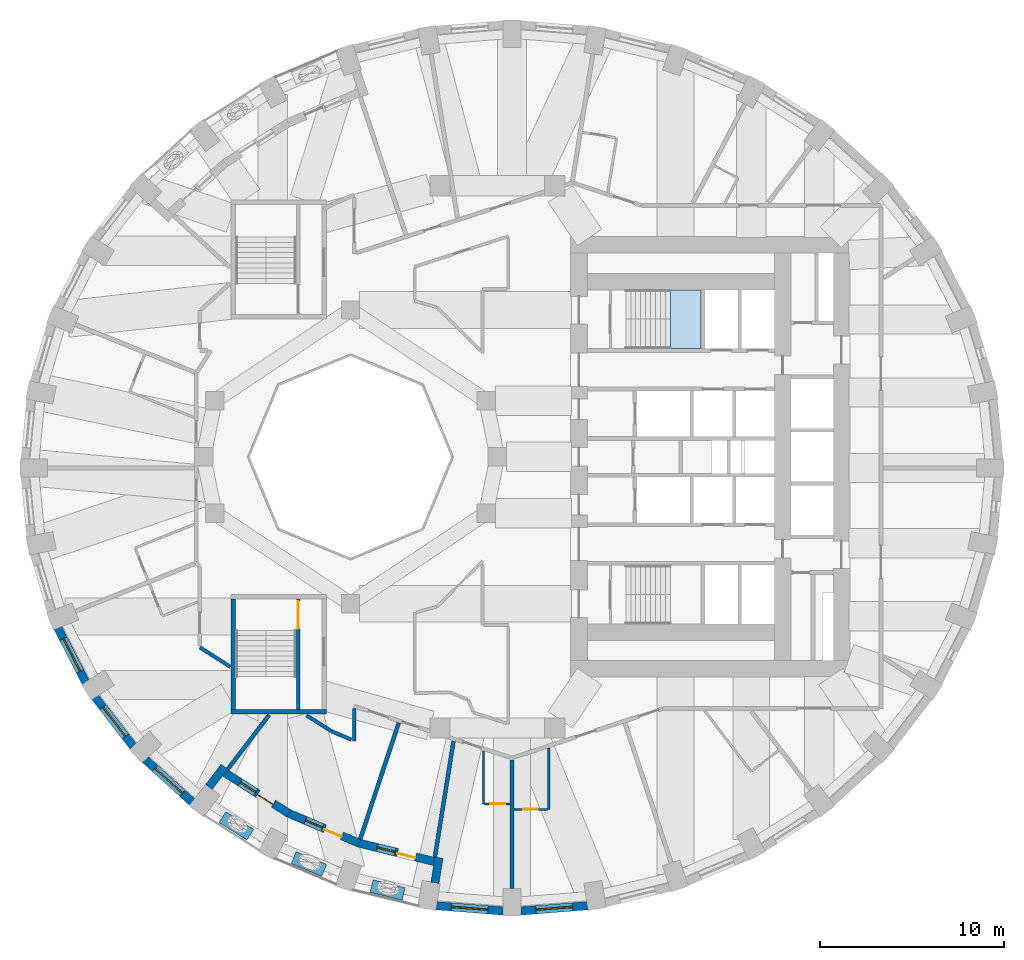
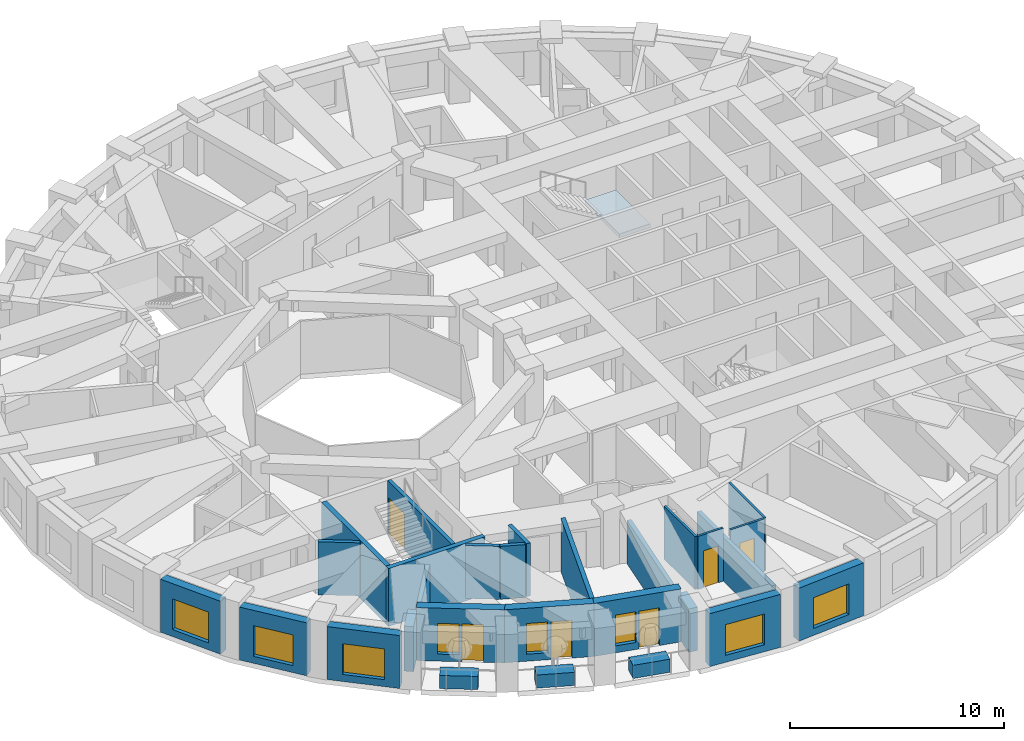
# One storey, part 3 of 12: 28 walls, 8 windows, 6 doors, 1 slab, 14 openings, 1 element without a shape of its own.
"""IFC4 building model written with IfcOpenShell, lengths in metres."""

from ifc_helpers import new_model, si_unit, direction, frame, frame_2d, origin, place, context, subcontext, project, spatial, polyline, rectangle, outline, extrude, material, layer, layer_set, constituent, constituent_set, type_object, element, fill, aggregate, save


model = new_model("IFC4")

# Units and contexts
model_context = context("Model", 3, precision=1e-05, world=origin(), true_north=direction((0.0, 1.0)))
body_context = subcontext(model_context, "Body", "Model", "MODEL_VIEW")
ifc_project = project(units=[si_unit("LENGTHUNIT", "METRE"), si_unit("AREAUNIT", "SQUARE_METRE"), si_unit("VOLUMEUNIT", "CUBIC_METRE"), si_unit("PLANEANGLEUNIT", "RADIAN"), si_unit("MASSUNIT", "GRAM", prefix="KILO")], contexts=[model_context])

# Site, building, storey
site_placement = place(None, origin())
site = spatial("IfcSite", under=ifc_project, at=site_placement, CompositionType="ELEMENT")
building_placement = place(site_placement, origin())
building = spatial("IfcBuilding", under=site, at=building_placement, Name="Taillehof Tower", CompositionType="ELEMENT")
storey_placement = place(building_placement, frame((0.0, 0.0, 118.60009765625)))
storey = spatial("IfcBuildingStorey", under=building, at=storey_placement, Name="L33", CompositionType="ELEMENT", Elevation=118.60009765625)

# Stair, slab
ifc_material_1 = material(Name="Concrete C40/50", Category="concrete")
stair_type = type_object("IfcStairType", Name="Exit stair half-turn", PredefinedType="HALF_TURN_STAIR", material=ifc_material_1)
stair_placement = place(storey_placement, origin())
stair = element("IfcStair", 1, at=stair_placement, inside=storey, type_object=stair_type, Name="Exit stair S1", PredefinedType="HALF_TURN_STAIR")
ifc_material_2 = material(Name="Concrete C40/50", Category="concrete")
ifc_layer_1 = layer(ifc_material_2, 0.2099609375)
ifc_layer_set_1 = layer_set([ifc_layer_1], Name="Stair landing C40/50 210")
slab_type = type_object("IfcSlabType", Name="Stair landing C40/50 210", PredefinedType="LANDING", material=ifc_layer_set_1)
slab_placement = place(storey_placement, frame((0.0, 0.0, 1.43994140625)))
slab = element("IfcSlab", 2, at=slab_placement, type_object=slab_type, Name="S1 landing 1", PredefinedType="LANDING", context=body_context, shape_type="SweptSolid", body=[
    extrude(outline(polyline([(9.429931640625, 5.89990234375), (11.10009765625, 5.89990234375), (11.10009765625, 9.10009765625), (9.429931640625, 9.10009765625), (9.429931640625, 5.89990234375)])), origin(), (0.0, 0.0, 1.0), 0.2099609375),
])
aggregate(stair, [slab])

# Wall, opening, window
ifc_material_3 = material(Name="Brick masonry", Category="masonry")
ifc_layer_2 = layer(ifc_material_3, 0.449951171875)
ifc_layer_set_2 = layer_set([ifc_layer_2], Name="Brick infill wall 450")
wall_type_1 = type_object("IfcWallType", Name="Brick infill wall 450", PredefinedType="SOLIDWALL", material=ifc_layer_set_2)
wall_1_placement = place(storey_placement, frame((-23.9453125, -9.312255859375, 0.0), z_axis=(0.0, 0.0, 1.0), x_axis=(0.456828186229, -0.889554949549, 0.0)))
wall_1 = element("IfcWall", 3, at=wall_1_placement, inside=storey, type_object=wall_type_1, Name="Brick wall L33 bay 21", PredefinedType="SOLIDWALL", context=body_context, shape_type="SweptSolid", body=[
    extrude(rectangle(XDim=3.332763671875, YDim=0.449951171875, at=frame_2d((1.66650390625, 0.0))), origin(), (0.0, 0.0, 1.0), 3.02001953125),
])
opening_1_placement = place(wall_1_placement, frame((0.666259765625, 0.0, 0.39990234375)))
opening_1 = element("IfcOpeningElement", 4, at=opening_1_placement, cuts=wall_1, Name="Opening W2", PredefinedType="OPENING", context=body_context, shape_type="SweptSolid", body=[
    extrude(rectangle(XDim=2.0, YDim=1.75, at=frame_2d((1.0, 0.875))), frame((0.0, 0.23486328125, 0.0), z_axis=(0.0, -1.0, 0.0), x_axis=(1.0, 0.0, 0.0)), (0.0, 0.0, 1.0), 0.469970703125),
])
ifc_material_4 = material(Name="Aluminium window frame with clear double glazing", Category="aluminium")
window_type_1 = type_object("IfcWindowType", Name="Deep-set window 2000x1750", PartitioningType="SINGLE_PANEL", PredefinedType="WINDOW", material=ifc_material_4)
window_1_placement = place(opening_1_placement, origin())
window_1 = element("IfcWindow", 5, at=window_1_placement, inside=storey, type_object=window_type_1, Name="W2", OverallHeight=1.75, OverallWidth=2.0, PartitioningType="SINGLE_PANEL", PredefinedType="WINDOW", context=body_context, shape_type="SweptSolid", body=[
    extrude(rectangle(XDim=2.0, YDim=1.75, at=frame_2d((1.0, 0.875))), frame((0.0, 0.034912109375, 0.0), z_axis=(0.0, -1.0, 0.0), x_axis=(1.0, 0.0, 0.0)), (0.0, 0.0, 1.0), 0.06005859375),
])
fill(opening_1, window_1)

wall_2_placement = place(storey_placement, frame((-21.908203125, -13.08740234375, 0.0), z_axis=(0.0, 0.0, 1.0), x_axis=(0.610693945156, -0.791866721961, 0.0)))
wall_2 = element("IfcWall", 6, at=wall_2_placement, inside=storey, type_object=wall_type_1, Name="Brick wall L33 bay 22", PredefinedType="SOLIDWALL", context=body_context, shape_type="SweptSolid", body=[
    extrude(rectangle(XDim=3.39453125, YDim=0.449951171875, at=frame_2d((1.697265625, 0.0))), origin(), (0.0, 0.0, 1.0), 3.02001953125),
])
opening_2_placement = place(wall_2_placement, frame((0.697265625, 0.0, 0.39990234375)))
opening_2 = element("IfcOpeningElement", 7, at=opening_2_placement, cuts=wall_2, Name="Opening W2", PredefinedType="OPENING", context=body_context, shape_type="SweptSolid", body=[
    extrude(rectangle(XDim=2.0, YDim=1.75, at=frame_2d((1.0, 0.875))), frame((0.0, 0.23486328125, 0.0), z_axis=(0.0, -1.0, 0.0), x_axis=(1.0, 0.0, 0.0)), (0.0, 0.0, 1.0), 0.469970703125),
])
window_2_placement = place(opening_2_placement, origin())
window_2 = element("IfcWindow", 8, at=window_2_placement, inside=storey, type_object=window_type_1, Name="W2", OverallHeight=1.75, OverallWidth=2.0, PartitioningType="SINGLE_PANEL", PredefinedType="WINDOW", context=body_context, shape_type="SweptSolid", body=[
    extrude(rectangle(XDim=2.0, YDim=1.75, at=frame_2d((1.0, 0.875))), frame((0.0, 0.034912109375, 0.0), z_axis=(0.0, -1.0, 0.0), x_axis=(1.0, 0.0, 0.0)), (0.0, 0.0, 1.0), 0.06005859375),
])
fill(opening_2, window_2)

wall_3_placement = place(storey_placement, frame((-19.18408203125, -16.481201171875, 0.0), z_axis=(0.0, 0.0, 1.0), x_axis=(0.740364106106, -0.672206062446, 0.0)))
wall_3 = element("IfcWall", 9, at=wall_3_placement, inside=storey, type_object=wall_type_1, Name="Brick wall L33 bay 23", PredefinedType="SOLIDWALL", context=body_context, shape_type="SweptSolid", body=[
    extrude(rectangle(XDim=3.4638671875, YDim=0.449951171875, at=frame_2d((1.73193359375, 0.0))), origin(), (0.0, 0.0, 1.0), 3.02001953125),
])
opening_3_placement = place(wall_3_placement, frame((0.73193359375, 0.0, 0.39990234375)))
opening_3 = element("IfcOpeningElement", 10, at=opening_3_placement, cuts=wall_3, Name="Opening W2", PredefinedType="OPENING", context=body_context, shape_type="SweptSolid", body=[
    extrude(rectangle(XDim=2.0, YDim=1.75, at=frame_2d((1.0, 0.875))), frame((0.0, 0.23486328125, 0.0), z_axis=(0.0, -1.0, 0.0), x_axis=(1.0, 0.0, 0.0)), (0.0, 0.0, 1.0), 0.469970703125),
])
window_3_placement = place(opening_3_placement, origin())
window_3 = element("IfcWindow", 11, at=window_3_placement, inside=storey, type_object=window_type_1, Name="W2", OverallHeight=1.75, OverallWidth=2.0, PartitioningType="SINGLE_PANEL", PredefinedType="WINDOW", context=body_context, shape_type="SweptSolid", body=[
    extrude(rectangle(XDim=2.0, YDim=1.75, at=frame_2d((1.0, 0.875))), frame((0.0, 0.034912109375, 0.0), z_axis=(0.0, -1.0, 0.0), x_axis=(1.0, 0.0, 0.0)), (0.0, 0.0, 1.0), 0.06005859375),
])
fill(opening_3, window_3)

wall_4_placement = place(storey_placement, frame((-3.32666015625, -24.446533203125, 0.0), z_axis=(0.0, 0.0, 1.0), x_axis=(0.996862216754, -0.079156306178, 0.0)))
wall_4 = element("IfcWall", 12, at=wall_4_placement, inside=storey, type_object=wall_type_1, Name="Brick wall L33 bay 27", PredefinedType="SOLIDWALL", context=body_context, shape_type="SweptSolid", body=[
    extrude(rectangle(XDim=3.657958984375, YDim=0.449951171875, at=frame_2d((1.8291015625, 0.0))), origin(), (0.0, 0.0, 1.0), 3.02001953125),
])
opening_4_placement = place(wall_4_placement, frame((0.8291015625, 0.0, 0.39990234375)))
opening_4 = element("IfcOpeningElement", 13, at=opening_4_placement, cuts=wall_4, Name="Opening W2", PredefinedType="OPENING", context=body_context, shape_type="SweptSolid", body=[
    extrude(rectangle(XDim=2.0, YDim=1.75, at=frame_2d((1.0, 0.875))), frame((0.0, 0.23486328125, 0.0), z_axis=(0.0, -1.0, 0.0), x_axis=(1.0, 0.0, 0.0)), (0.0, 0.0, 1.0), 0.469970703125),
])
window_4_placement = place(opening_4_placement, origin())
window_4 = element("IfcWindow", 14, at=window_4_placement, inside=storey, type_object=window_type_1, Name="W2", OverallHeight=1.75, OverallWidth=2.0, PartitioningType="SINGLE_PANEL", PredefinedType="WINDOW", context=body_context, shape_type="SweptSolid", body=[
    extrude(rectangle(XDim=2.0, YDim=1.75, at=frame_2d((1.0, 0.875))), frame((0.0, 0.034912109375, 0.0), z_axis=(0.0, -1.0, 0.0), x_axis=(1.0, 0.0, 0.0)), (0.0, 0.0, 1.0), 0.06005859375),
])
fill(opening_4, window_4)

wall_5_placement = place(storey_placement, frame((1.280029296875, -24.736083984375, 0.0), z_axis=(0.0, 0.0, 1.0), x_axis=(0.996862216754, 0.079156306178, 0.0)))
wall_5 = element("IfcWall", 15, at=wall_5_placement, inside=storey, type_object=wall_type_1, Name="Brick wall L33 bay 28", PredefinedType="SOLIDWALL", context=body_context, shape_type="SweptSolid", body=[
    extrude(rectangle(XDim=3.657958984375, YDim=0.449951171875, at=frame_2d((1.8291015625, 0.0))), origin(), (0.0, 0.0, 1.0), 3.02001953125),
])
opening_5_placement = place(wall_5_placement, frame((0.8291015625, 0.0, 0.39990234375)))
opening_5 = element("IfcOpeningElement", 16, at=opening_5_placement, cuts=wall_5, Name="Opening W2", PredefinedType="OPENING", context=body_context, shape_type="SweptSolid", body=[
    extrude(rectangle(XDim=2.0, YDim=1.75, at=frame_2d((1.0, 0.875))), frame((0.0, 0.23486328125, 0.0), z_axis=(0.0, -1.0, 0.0), x_axis=(1.0, 0.0, 0.0)), (0.0, 0.0, 1.0), 0.469970703125),
])
window_5_placement = place(opening_5_placement, origin())
window_5 = element("IfcWindow", 17, at=window_5_placement, inside=storey, type_object=window_type_1, Name="W2", OverallHeight=1.75, OverallWidth=2.0, PartitioningType="SINGLE_PANEL", PredefinedType="WINDOW", context=body_context, shape_type="SweptSolid", body=[
    extrude(rectangle(XDim=2.0, YDim=1.75, at=frame_2d((1.0, 0.875))), frame((0.0, 0.034912109375, 0.0), z_axis=(0.0, -1.0, 0.0), x_axis=(1.0, 0.0, 0.0)), (0.0, 0.0, 1.0), 0.06005859375),
])
fill(opening_5, window_5)

# Walls
wall_6_placement = place(storey_placement, frame((-15.70751953125, -17.9794921875, 0.0), z_axis=(0.0, 0.0, 1.0), x_axis=(0.607026495834, 0.794681592435, 0.0)))
element("IfcWall", 18, at=wall_6_placement, inside=storey, type_object=wall_type_1, Name="Brick reveal L33 pocket 7", PredefinedType="SOLIDWALL", context=body_context, shape_type="SweptSolid", body=[
    extrude(rectangle(XDim=1.390869140625, YDim=0.449951171875, at=frame_2d((0.6953125, 0.0))), origin(), (0.0, 0.0, 1.0), 2.56982421875),
])
wall_7_placement = place(storey_placement, frame((-3.39697265625, -23.203857421875, 0.0), z_axis=(0.0, 0.0, 1.0), x_axis=(0.158415168535, 0.987372591466, 0.0)))
element("IfcWall", 19, at=wall_7_placement, inside=storey, type_object=wall_type_1, Name="Brick reveal L33 pocket 7", PredefinedType="SOLIDWALL", context=body_context, shape_type="SweptSolid", body=[
    extrude(rectangle(XDim=1.39013671875, YDim=0.449951171875, at=frame_2d((0.695068359375, 0.0))), origin(), (0.0, 0.0, 1.0), 2.469970703125),
])

# Wall, openings, door, window
wall_8_placement = place(storey_placement, frame((-14.832763671875, -17.204833984375, 0.0), z_axis=(0.0, 0.0, 1.0), x_axis=(0.843255766903, -0.537512522259, 0.0)))
wall_8 = element("IfcWall", 20, at=wall_8_placement, inside=storey, type_object=wall_type_1, Name="Brick wall L33 pocket bay 24", PredefinedType="SOLIDWALL", context=body_context, shape_type="SweptSolid", body=[
    extrude(rectangle(XDim=4.115478515625, YDim=0.449951171875, at=frame_2d((2.0576171875, 0.0))), origin(), (0.0, 0.0, 1.0), 3.02001953125),
])
opening_6_placement = place(wall_8_placement, frame((0.982666015625, 0.0, 0.39990234375)))
opening_6 = element("IfcOpeningElement", 21, at=opening_6_placement, cuts=wall_8, Name="Opening W5", PredefinedType="OPENING", context=body_context, shape_type="SweptSolid", body=[
    extrude(rectangle(XDim=1.0, YDim=1.75, at=frame_2d((0.5, 0.875))), frame((0.0, 0.23486328125, 0.0), z_axis=(0.0, -1.0, 0.0), x_axis=(1.0, 0.0, 0.0)), (0.0, 0.0, 1.0), 0.469970703125),
])
opening_7_placement = place(wall_8_placement, frame((2.132568359375, 0.0, 0.0)))
opening_7 = element("IfcOpeningElement", 22, at=opening_7_placement, cuts=wall_8, Name="Opening D3391", PredefinedType="OPENING", context=body_context, shape_type="SweptSolid", body=[
    extrude(rectangle(XDim=1.0, YDim=2.14990234375, at=frame_2d((0.5, 1.074951171875))), frame((0.0, 0.23486328125, 0.0), z_axis=(0.0, -1.0, 0.0), x_axis=(1.0, 0.0, 0.0)), (0.0, 0.0, 1.0), 0.469970703125),
])
ifc_material_5 = material(Name="Aluminium door frame with clear double glazing", Category="aluminium")
door_type_1 = type_object("IfcDoorType", Name="Balcony door 1000x2150", OperationType="SINGLE_SWING_RIGHT", PredefinedType="DOOR", material=ifc_material_5)
door_1_placement = place(opening_7_placement, frame((1.0, 0.0, 0.0), z_axis=(0.0, 0.0, 1.0), x_axis=(-1.0, 0.0, 0.0)))
door_1 = element("IfcDoor", 23, at=door_1_placement, inside=storey, type_object=door_type_1, Name="Balcony door L33 bay 24", OperationType="SINGLE_SWING_RIGHT", OverallHeight=2.14990234375, OverallWidth=1.0, PredefinedType="DOOR", context=body_context, shape_type="SweptSolid", body=[
    extrude(rectangle(XDim=1.0, YDim=2.14990234375, at=frame_2d((0.5, 1.074951171875))), frame((0.0, 0.0751953125, 0.0), z_axis=(0.0, -1.0, 0.0), x_axis=(1.0, 0.0, 0.0)), (0.0, 0.0, 1.0), 0.050048828125),
])
fill(opening_7, door_1)
ifc_material_6 = material(Name="Aluminium window frame with clear double glazing", Category="aluminium")
window_type_2 = type_object("IfcWindowType", Name="Fixed window 1000x1750", PartitioningType="SINGLE_PANEL", PredefinedType="WINDOW", material=ifc_material_6)
window_6_placement = place(opening_6_placement, origin())
window_6 = element("IfcWindow", 24, at=window_6_placement, inside=storey, type_object=window_type_2, Name="W5", OverallHeight=1.75, OverallWidth=1.0, PartitioningType="SINGLE_PANEL", PredefinedType="WINDOW", context=body_context, shape_type="SweptSolid", body=[
    extrude(rectangle(XDim=1.0, YDim=1.75, at=frame_2d((0.5, 0.875))), frame((0.0, 0.034912109375, 0.0), z_axis=(0.0, -1.0, 0.0), x_axis=(1.0, 0.0, 0.0)), (0.0, 0.0, 1.0), 0.06005859375),
])
fill(opening_6, window_6)

wall_9_placement = place(storey_placement, frame((-11.3955078125, -19.3994140625, 0.0), z_axis=(0.0, 0.0, 1.0), x_axis=(0.920496400713, -0.390751041296, 0.0)))
wall_9 = element("IfcWall", 25, at=wall_9_placement, inside=storey, type_object=wall_type_1, Name="Brick wall L33 pocket bay 25", PredefinedType="SOLIDWALL", context=body_context, shape_type="SweptSolid", body=[
    extrude(rectangle(XDim=4.206787109375, YDim=0.449951171875, at=frame_2d((2.103515625, 0.0))), origin(), (0.0, 0.0, 1.0), 3.02001953125),
])
opening_8_placement = place(wall_9_placement, frame((1.0283203125, 0.0, 0.39990234375)))
opening_8 = element("IfcOpeningElement", 26, at=opening_8_placement, cuts=wall_9, Name="Opening W5", PredefinedType="OPENING", context=body_context, shape_type="SweptSolid", body=[
    extrude(rectangle(XDim=1.0, YDim=1.75, at=frame_2d((0.5, 0.875))), frame((0.0, 0.23486328125, 0.0), z_axis=(0.0, -1.0, 0.0), x_axis=(1.0, 0.0, 0.0)), (0.0, 0.0, 1.0), 0.469970703125),
])
opening_9_placement = place(wall_9_placement, frame((2.17822265625, 0.0, 0.0)))
opening_9 = element("IfcOpeningElement", 27, at=opening_9_placement, cuts=wall_9, Name="Opening D3392", PredefinedType="OPENING", context=body_context, shape_type="SweptSolid", body=[
    extrude(rectangle(XDim=1.0, YDim=2.14990234375, at=frame_2d((0.5, 1.074951171875))), frame((0.0, 0.23486328125, 0.0), z_axis=(0.0, -1.0, 0.0), x_axis=(1.0, 0.0, 0.0)), (0.0, 0.0, 1.0), 0.469970703125),
])
door_2_placement = place(opening_9_placement, frame((1.0, 0.0, 0.0), z_axis=(0.0, 0.0, 1.0), x_axis=(-1.0, 0.0, 0.0)))
door_2 = element("IfcDoor", 28, at=door_2_placement, inside=storey, type_object=door_type_1, Name="Balcony door L33 bay 25", OperationType="SINGLE_SWING_LEFT", OverallHeight=2.14990234375, OverallWidth=1.0, PredefinedType="DOOR", context=body_context, shape_type="SweptSolid", body=[
    extrude(rectangle(XDim=1.0, YDim=2.14990234375, at=frame_2d((0.5, 1.074951171875))), frame((0.0, 0.0751953125, 0.0), z_axis=(0.0, -1.0, 0.0), x_axis=(1.0, 0.0, 0.0)), (0.0, 0.0, 1.0), 0.050048828125),
])
fill(opening_9, door_2)
window_7_placement = place(opening_8_placement, origin())
window_7 = element("IfcWindow", 29, at=window_7_placement, inside=storey, type_object=window_type_2, Name="W5", OverallHeight=1.75, OverallWidth=1.0, PartitioningType="SINGLE_PANEL", PredefinedType="WINDOW", context=body_context, shape_type="SweptSolid", body=[
    extrude(rectangle(XDim=1.0, YDim=1.75, at=frame_2d((0.5, 0.875))), frame((0.0, 0.034912109375, 0.0), z_axis=(0.0, -1.0, 0.0), x_axis=(1.0, 0.0, 0.0)), (0.0, 0.0, 1.0), 0.06005859375),
])
fill(opening_8, window_7)

wall_10_placement = place(storey_placement, frame((-7.557861328125, -21.03173828125, 0.0), z_axis=(0.0, 0.0, 1.0), x_axis=(0.971511611373, -0.23699195971, 0.0)))
wall_10 = element("IfcWall", 30, at=wall_10_placement, inside=storey, type_object=wall_type_1, Name="Brick wall L33 pocket bay 26", PredefinedType="SOLIDWALL", context=body_context, shape_type="SweptSolid", body=[
    extrude(rectangle(XDim=4.2412109375, YDim=0.449951171875, at=frame_2d((2.12060546875, 0.0))), origin(), (0.0, 0.0, 1.0), 3.02001953125),
])
opening_10_placement = place(wall_10_placement, frame((1.045654296875, 0.0, 0.39990234375)))
opening_10 = element("IfcOpeningElement", 31, at=opening_10_placement, cuts=wall_10, Name="Opening W5", PredefinedType="OPENING", context=body_context, shape_type="SweptSolid", body=[
    extrude(rectangle(XDim=1.0, YDim=1.75, at=frame_2d((0.5, 0.875))), frame((0.0, 0.23486328125, 0.0), z_axis=(0.0, -1.0, 0.0), x_axis=(1.0, 0.0, 0.0)), (0.0, 0.0, 1.0), 0.469970703125),
])
opening_11_placement = place(wall_10_placement, frame((2.195556640625, 0.0, 0.0)))
opening_11 = element("IfcOpeningElement", 32, at=opening_11_placement, cuts=wall_10, Name="Opening D3393", PredefinedType="OPENING", context=body_context, shape_type="SweptSolid", body=[
    extrude(rectangle(XDim=1.0, YDim=2.14990234375, at=frame_2d((0.5, 1.074951171875))), frame((0.0, 0.23486328125, 0.0), z_axis=(0.0, -1.0, 0.0), x_axis=(1.0, 0.0, 0.0)), (0.0, 0.0, 1.0), 0.469970703125),
])
door_3_placement = place(opening_11_placement, frame((1.0, 0.0, 0.0), z_axis=(0.0, 0.0, 1.0), x_axis=(-1.0, 0.0, 0.0)))
door_3 = element("IfcDoor", 33, at=door_3_placement, inside=storey, type_object=door_type_1, Name="Balcony door L33 bay 26", OperationType="SINGLE_SWING_LEFT", OverallHeight=2.14990234375, OverallWidth=1.0, PredefinedType="DOOR", context=body_context, shape_type="SweptSolid", body=[
    extrude(rectangle(XDim=1.0, YDim=2.14990234375, at=frame_2d((0.5, 1.074951171875))), frame((0.0, 0.0751953125, 0.0), z_axis=(0.0, -1.0, 0.0), x_axis=(1.0, 0.0, 0.0)), (0.0, 0.0, 1.0), 0.050048828125),
])
fill(opening_11, door_3)
window_8_placement = place(opening_10_placement, origin())
window_8 = element("IfcWindow", 34, at=window_8_placement, inside=storey, type_object=window_type_2, Name="W5", OverallHeight=1.75, OverallWidth=1.0, PartitioningType="SINGLE_PANEL", PredefinedType="WINDOW", context=body_context, shape_type="SweptSolid", body=[
    extrude(rectangle(XDim=1.0, YDim=1.75, at=frame_2d((0.5, 0.875))), frame((0.0, 0.034912109375, 0.0), z_axis=(0.0, -1.0, 0.0), x_axis=(1.0, 0.0, 0.0)), (0.0, 0.0, 1.0), 0.06005859375),
])
fill(opening_10, window_8)

# Walls
ifc_material_7 = material(Name="Gypsum board on steel studs, two layers each side", Category="steel")
ifc_layer_3 = layer(ifc_material_7, 0.199951171875)
ifc_layer_set_3 = layer_set([ifc_layer_3], Name="Compartment wall corridor 200")
wall_type_2 = type_object("IfcWallType", Name="Compartment wall corridor 200", PredefinedType="PARTITIONING", material=ifc_layer_set_3)
wall_11_placement = place(storey_placement, frame((-14.544921875, -11.42919921875, 0.0), z_axis=(0.0, 0.0, 1.0), x_axis=(-0.843261732334, 0.537503163507, 0.0)))
element("IfcWall", 35, at=wall_11_placement, inside=storey, type_object=wall_type_2, Name="Compartment wall", PredefinedType="PARTITIONING", context=body_context, shape_type="SweptSolid", body=[
    extrude(rectangle(XDim=1.962646484375, YDim=0.199951171875, at=frame_2d((0.9814453125, 0.0))), origin(), (0.0, 0.0, 1.0), 3.02001953125),
])
wall_12_placement = place(storey_placement, frame((-7.800048828125, -13.716064453125, 0.0), z_axis=(0.0, 0.0, 1.0), x_axis=(0.0, -1.0, 0.0)))
element("IfcWall", 36, at=wall_12_placement, inside=storey, type_object=wall_type_2, Name="Compartment wall", PredefinedType="PARTITIONING", context=body_context, shape_type="SweptSolid", body=[
    extrude(rectangle(XDim=1.750732421875, YDim=0.199951171875, at=frame_2d((0.87548828125, 0.0))), origin(), (0.0, 0.0, 1.0), 3.02001953125),
])
wall_13_placement = place(storey_placement, frame((-7.946533203125, -15.404296875, 0.0), z_axis=(0.0, 0.0, 1.0), x_axis=(-0.920608906038, 0.390485905153, 0.0)))
element("IfcWall", 37, at=wall_13_placement, inside=storey, type_object=wall_type_2, Name="Compartment wall", PredefinedType="PARTITIONING", context=body_context, shape_type="SweptSolid", body=[
    extrude(rectangle(XDim=1.1767578125, YDim=0.199951171875, at=frame_2d((0.58837890625, 0.0))), origin(), (0.0, 0.0, 1.0), 3.02001953125),
])
wall_14_placement = place(storey_placement, frame((-9.046630859375, -14.93408203125, 0.0), z_axis=(0.0, 0.0, 1.0), x_axis=(-0.843232404468, 0.537549171755, 0.0)))
element("IfcWall", 38, at=wall_14_placement, inside=storey, type_object=wall_type_2, Name="Compartment wall", PredefinedType="PARTITIONING", context=body_context, shape_type="SweptSolid", body=[
    extrude(rectangle(XDim=1.59423828125, YDim=0.199951171875, at=frame_2d((0.797119140625, 0.0))), origin(), (0.0, 0.0, 1.0), 3.02001953125),
])
ifc_material_8 = material(Name="Gypsum board on double steel studs with mineral wool", Category="steel")
ifc_layer_4 = layer(ifc_material_8, 0.219970703125)
ifc_layer_set_4 = layer_set([ifc_layer_4], Name="Compartment wall guest room 220")
wall_type_3 = type_object("IfcWallType", Name="Compartment wall guest room 220", PredefinedType="PARTITIONING", material=ifc_layer_set_4)
wall_15_placement = place(storey_placement, frame((-14.695556640625, -17.025390625, 0.0), z_axis=(0.0, 0.0, 1.0), x_axis=(0.607059278405, 0.794656550028, 0.0)))
element("IfcWall", 39, at=wall_15_placement, inside=storey, type_object=wall_type_3, Name="Compartment wall", PredefinedType="PARTITIONING", context=body_context, shape_type="SweptSolid", body=[
    extrude(rectangle(XDim=3.733642578125, YDim=0.219970703125, at=frame_2d((1.86669921875, 0.0))), origin(), (0.0, 0.0, 1.0), 2.56982421875),
])
wall_16_placement = place(storey_placement, frame((-7.46923828125, -20.82177734375, 0.0), z_axis=(0.0, 0.0, 1.0), x_axis=(0.314560923857, 0.949237286026, 0.0)))
element("IfcWall", 40, at=wall_16_placement, inside=storey, type_object=wall_type_3, Name="Compartment wall", PredefinedType="PARTITIONING", context=body_context, shape_type="SweptSolid", body=[
    extrude(rectangle(XDim=6.680908203125, YDim=0.219970703125, at=frame_2d((3.34033203125, 0.0))), origin(), (0.0, 0.0, 1.0), 3.02001953125),
])
wall_17_placement = place(storey_placement, frame((-3.40185546875, -21.81396484375, 0.0), z_axis=(0.0, 0.0, 1.0), x_axis=(0.158514453841, 0.987356656899, 0.0)))
element("IfcWall", 41, at=wall_17_placement, inside=storey, type_object=wall_type_3, Name="Compartment wall", PredefinedType="PARTITIONING", context=body_context, shape_type="SweptSolid", body=[
    extrude(rectangle(XDim=6.414794921875, YDim=0.219970703125, at=frame_2d((3.20751953125, 0.0))), origin(), (0.0, 0.0, 1.0), 2.469970703125),
])
wall_18_placement = place(storey_placement, frame((0.800048828125, -23.5, 0.0), z_axis=(0.0, 0.0, 1.0), x_axis=(0.0, 1.0, 0.0)))
element("IfcWall", 42, at=wall_18_placement, inside=storey, type_object=wall_type_3, Name="Compartment wall", PredefinedType="PARTITIONING", context=body_context, shape_type="SweptSolid", body=[
    extrude(rectangle(XDim=7.0, YDim=0.219970703125, at=frame_2d((3.5, 0.0))), origin(), (0.0, 0.0, 1.0), 2.469970703125),
])
ifc_material_9 = material(Name="Gypsum board on steel studs, moisture resistant", Category="steel")
ifc_layer_5 = layer(ifc_material_9, 0.1201171875)
ifc_layer_set_5 = layer_set([ifc_layer_5], Name="En-suite wall 120")
wall_type_4 = type_object("IfcWallType", Name="En-suite wall 120", PredefinedType="PARTITIONING", material=ifc_layer_set_5)
wall_19_placement = place(storey_placement, frame((-0.75, -16.01611328125, 0.0), z_axis=(0.0, 0.0, 1.0), x_axis=(0.0, -1.0, 0.0)))
element("IfcWall", 43, at=wall_19_placement, inside=storey, type_object=wall_type_4, Name="En-suite wall", PredefinedType="PARTITIONING", context=body_context, shape_type="SweptSolid", body=[
    extrude(rectangle(XDim=2.8837890625, YDim=0.1201171875, at=frame_2d((1.44189453125, 0.0))), origin(), (0.0, 0.0, 1.0), 3.02001953125),
])
wall_20_placement = place(storey_placement, frame((2.800048828125, -15.868408203125, 0.0), z_axis=(0.0, 0.0, 1.0), x_axis=(0.0, -1.0, 0.0)))
element("IfcWall", 44, at=wall_20_placement, inside=storey, type_object=wall_type_4, Name="En-suite wall", PredefinedType="PARTITIONING", context=body_context, shape_type="SweptSolid", body=[
    extrude(rectangle(XDim=3.33154296875, YDim=0.1201171875, at=frame_2d((1.665771484375, 0.0))), origin(), (0.0, 0.0, 1.0), 3.02001953125),
])

# Wall, opening, door
wall_21_placement = place(storey_placement, frame((-0.68994140625, -18.89990234375, 0.0), z_axis=(0.0, 0.0, 1.0), x_axis=(1.0, 0.0, 0.0)))
wall_21 = element("IfcWall", 45, at=wall_21_placement, inside=storey, type_object=wall_type_4, Name="En-suite wall", PredefinedType="PARTITIONING", context=body_context, shape_type="SweptSolid", body=[
    extrude(rectangle(XDim=1.3798828125, YDim=0.1201171875, at=frame_2d((0.68994140625, 0.0))), origin(), (0.0, 0.0, 1.0), 3.02001953125),
])
opening_12_placement = place(wall_21_placement, frame((0.31494140625, 0.0, 0.0)))
opening_12 = element("IfcOpeningElement", 46, at=opening_12_placement, cuts=wall_21, Name="Opening D3357", PredefinedType="OPENING", context=body_context, shape_type="SweptSolid", body=[
    extrude(rectangle(XDim=0.800048828125, YDim=2.10009765625, at=frame_2d((0.39990234375, 1.050048828125))), frame((0.0, 0.070068359375, 0.0), z_axis=(0.0, -1.0, 0.0), x_axis=(1.0, 0.0, 0.0)), (0.0, 0.0, 1.0), 0.14013671875),
])
ifc_material_10 = material(Name="Timber door leaf in steel frame", Category="steel")
door_type_2 = type_object("IfcDoorType", Name="En-suite door 800 x 2100", OperationType="SINGLE_SWING_LEFT", PredefinedType="DOOR", material=ifc_material_10)
door_4_placement = place(opening_12_placement, origin())
door_4 = element("IfcDoor", 47, at=door_4_placement, inside=storey, type_object=door_type_2, Name="D3357", OperationType="SINGLE_SWING_LEFT", OverallHeight=2.10009765625, OverallWidth=0.800048828125, PredefinedType="DOOR", context=body_context, shape_type="SweptSolid", body=[
    extrude(rectangle(XDim=0.800048828125, YDim=2.10009765625, at=frame_2d((0.39990234375, 1.050048828125))), frame((0.0, 0.02490234375, 0.0), z_axis=(0.0, -1.0, 0.0), x_axis=(1.0, 0.0, 0.0)), (0.0, 0.0, 1.0), 0.050048828125),
])
fill(opening_12, door_4)

wall_22_placement = place(storey_placement, frame((2.739990234375, -19.199951171875, 0.0), z_axis=(0.0, 0.0, 1.0), x_axis=(-1.0, 0.0, 0.0)))
wall_22 = element("IfcWall", 48, at=wall_22_placement, inside=storey, type_object=wall_type_4, Name="En-suite wall", PredefinedType="PARTITIONING", context=body_context, shape_type="SweptSolid", body=[
    extrude(rectangle(XDim=1.829833984375, YDim=0.1201171875, at=frame_2d((0.9150390625, 0.0))), origin(), (0.0, 0.0, 1.0), 3.02001953125),
])
opening_13_placement = place(wall_22_placement, frame((0.5400390625, 0.0, 0.0)))
opening_13 = element("IfcOpeningElement", 49, at=opening_13_placement, cuts=wall_22, Name="Opening D3359", PredefinedType="OPENING", context=body_context, shape_type="SweptSolid", body=[
    extrude(rectangle(XDim=0.800048828125, YDim=2.10009765625, at=frame_2d((0.39990234375, 1.050048828125))), frame((0.0, 0.070068359375, 0.0), z_axis=(0.0, -1.0, 0.0), x_axis=(1.0, 0.0, 0.0)), (0.0, 0.0, 1.0), 0.14013671875),
])
door_5_placement = place(opening_13_placement, origin())
door_5 = element("IfcDoor", 50, at=door_5_placement, inside=storey, type_object=door_type_2, Name="D3359", OperationType="SINGLE_SWING_RIGHT", OverallHeight=2.10009765625, OverallWidth=0.800048828125, PredefinedType="DOOR", context=body_context, shape_type="SweptSolid", body=[
    extrude(rectangle(XDim=0.800048828125, YDim=2.10009765625, at=frame_2d((0.39990234375, 1.050048828125))), frame((0.0, 0.02490234375, 0.0), z_axis=(0.0, -1.0, 0.0), x_axis=(1.0, 0.0, 0.0)), (0.0, 0.0, 1.0), 0.050048828125),
])
fill(opening_13, door_5)

# Walls
ifc_material_11 = material(Name="Concrete C30/37 precast", Category="concrete")
ifc_constituent_1 = constituent(ifc_material_11, Name="Structure", Category="concrete")
ifc_material_12 = material(Name="Insulated lining")
ifc_constituent_2 = constituent(ifc_material_12, Name="Lining")
ifc_constituent_set = constituent_set(constituents=[ifc_constituent_1, ifc_constituent_2], Name="Planter trough 700x750")
wall_type_5 = type_object("IfcWallType", Name="Planter trough 700x750", PredefinedType="USERDEFINED", material=ifc_constituent_set)
for number, where, z_axis, x_axis, name in (
    (51, (-14.97265625, -19.615966796875, 0.0), (0.0, 0.0, 1.0), (0.843873638802, -0.536541966425, 0.0), "Planter L33 bay 24"),
    (52, (-11.089599609375, -21.820068359375, 0.0), (0.0, 0.0, 1.0), (0.920903594752, -0.389790416984, 0.0), "Planter L33 bay 25"),
    (53, (-6.847900390625, -23.375244140625, 0.0), (0.0, 0.0, 1.0), (0.971654974133, -0.23640349245, 0.0), "Planter L33 bay 26"),
):
    element("IfcWall", number, at=place(storey_placement, frame(where, z_axis=z_axis, x_axis=x_axis)), inside=storey, type_object=wall_type_5, Name=name, ObjectType="PLANTER", PredefinedType="USERDEFINED", context=body_context, shape_type="SweptSolid", body=[
        extrude(rectangle(XDim=1.800048828125, YDim=0.699951171875, at=frame_2d((0.89990234375, 0.0))), origin(), (0.0, 0.0, 1.0), 0.75),
    ])

# Wall, opening, door
ifc_material_13 = material(Name="Concrete C50/60", Category="concrete")
ifc_layer_6 = layer(ifc_material_13, 0.199951171875)
ifc_layer_set_6 = layer_set([ifc_layer_6], Name="Shaft wall C50/60 200")
wall_type_6 = type_object("IfcWallType", Name="Shaft wall C50/60 200", PredefinedType="SHEAR", material=ifc_layer_set_6)
wall_23_placement = place(storey_placement, frame((-10.85009765625, -13.75, 0.0), z_axis=(0.0, 0.0, 1.0), x_axis=(0.0, 1.0, 0.0)))
wall_23 = element("IfcWall", 54, at=wall_23_placement, inside=storey, type_object=wall_type_6, Name="Shaft wall SW", PredefinedType="SHEAR", context=body_context, shape_type="SweptSolid", body=[
    extrude(rectangle(XDim=6.0, YDim=0.199951171875, at=frame_2d((3.0, 0.0))), origin(), (0.0, 0.0, 1.0), 3.02001953125),
])
opening_14_placement = place(wall_23_placement, frame((4.39990234375, 0.0, 0.0)))
opening_14 = element("IfcOpeningElement", 55, at=opening_14_placement, cuts=wall_23, Name="Opening D3313", PredefinedType="OPENING", context=body_context, shape_type="SweptSolid", body=[
    extrude(rectangle(XDim=1.5, YDim=2.10009765625, at=frame_2d((0.75, 1.050048828125))), frame((0.0, 0.10986328125, 0.0), z_axis=(0.0, -1.0, 0.0), x_axis=(1.0, 0.0, 0.0)), (0.0, 0.0, 1.0), 0.219970703125),
])
ifc_material_14 = material(Name="Steel-faced fire door", Category="steel")
door_type_3 = type_object("IfcDoorType", Name="Stair door 1500x2100", OperationType="DOUBLE_DOOR_SINGLE_SWING", PredefinedType="DOOR", material=ifc_material_14)
door_6_placement = place(opening_14_placement, origin())
door_6 = element("IfcDoor", 56, at=door_6_placement, inside=storey, type_object=door_type_3, Name="Stair lobby door S4", OperationType="DOUBLE_DOOR_SINGLE_SWING", OverallHeight=2.10009765625, OverallWidth=1.5, PredefinedType="DOOR", context=body_context, shape_type="SweptSolid", body=[
    extrude(rectangle(XDim=1.5, YDim=2.10009765625, at=frame_2d((0.75, 1.050048828125))), frame((0.0, 0.02490234375, 0.0), z_axis=(0.0, -1.0, 0.0), x_axis=(1.0, 0.0, 0.0)), (0.0, 0.0, 1.0), 0.050048828125),
])
fill(opening_14, door_6)

# Walls
ifc_material_15 = material(Name="Concrete C50/60", Category="concrete")
ifc_layer_7 = layer(ifc_material_15, 0.25)
ifc_layer_set_7 = layer_set([ifc_layer_7], Name="Stair wall C50/60 250")
wall_type_7 = type_object("IfcWallType", Name="Stair wall C50/60 250", PredefinedType="SHEAR", material=ifc_layer_set_7)
wall_24_placement = place(storey_placement, frame((-14.375, -13.75, -0.280029296875), z_axis=(0.0, 0.0, 1.0), x_axis=(0.0, 1.0, 0.0)))
element("IfcWall", 57, at=wall_24_placement, inside=storey, type_object=wall_type_7, Name="Stair wall SC", PredefinedType="SHEAR", context=body_context, shape_type="SweptSolid", body=[
    extrude(rectangle(XDim=6.0, YDim=0.25, at=frame_2d((3.0, 0.0))), origin(), (0.0, 0.0, 1.0), 3.300048828125),
])
wall_25_placement = place(storey_placement, frame((-14.5, -13.875, -0.280029296875), z_axis=(0.0, 0.0, 1.0), x_axis=(1.0, 0.0, 0.0)))
element("IfcWall", 58, at=wall_25_placement, inside=storey, type_object=wall_type_7, Name="Stair wall SC", PredefinedType="SHEAR", context=body_context, shape_type="SweptSolid", body=[
    extrude(rectangle(XDim=5.199951171875, YDim=0.25, at=frame_2d((2.60009765625, 0.0))), origin(), (0.0, 0.0, 1.0), 3.300048828125),
])

save(model, "model.ifc")
